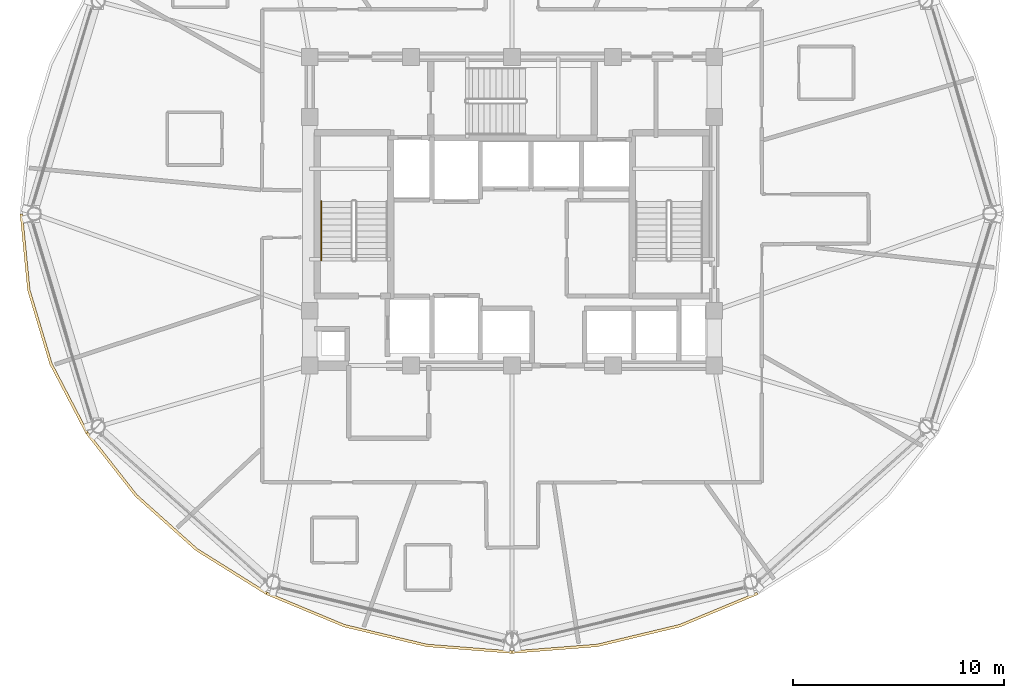
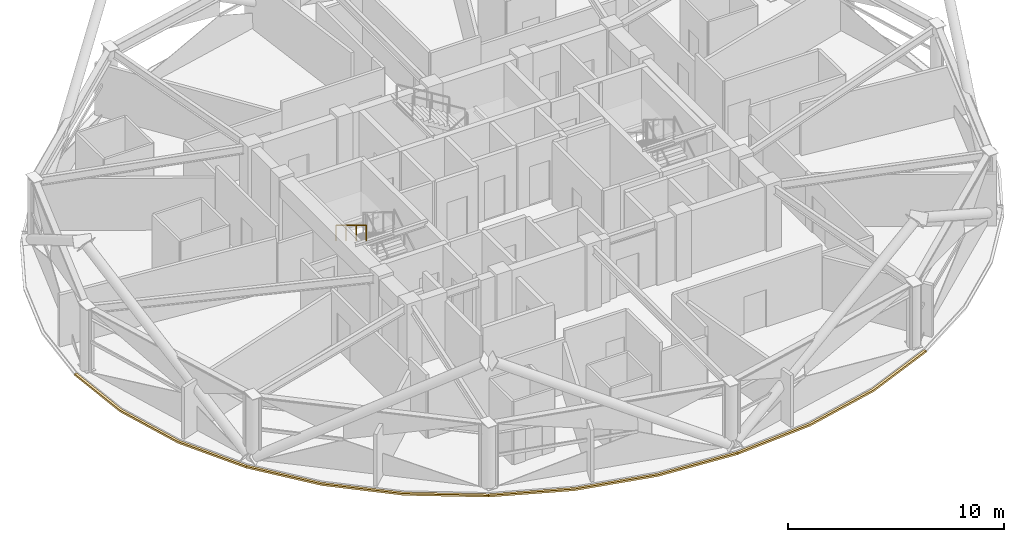
# One storey, part 27 of 30: 4 coverings, 1 railing.
"""IFC4 building model written with IfcOpenShell, lengths in metres."""

from ifc_helpers import new_model, si_unit, direction, frame, origin, origin_2d, place, context, subcontext, project, spatial, polyline, rectangle, outline, extrude, material, layer, layer_set, type_object, element, save


model = new_model("IFC4")

# Units and contexts
model_context = context("Model", 3, precision=1e-05, world=origin(), true_north=direction((0.0, 1.0)))
body_context = subcontext(model_context, "Body", "Model", "MODEL_VIEW")
ifc_project = project(units=[si_unit("LENGTHUNIT", "METRE"), si_unit("AREAUNIT", "SQUARE_METRE"), si_unit("VOLUMEUNIT", "CUBIC_METRE"), si_unit("PLANEANGLEUNIT", "RADIAN"), si_unit("MASSUNIT", "GRAM", prefix="KILO")], contexts=[model_context])

# Site, building, storey
site_placement = place(None, origin())
site = spatial("IfcSite", under=ifc_project, at=site_placement, CompositionType="ELEMENT")
building_placement = place(site_placement, origin())
building = spatial("IfcBuilding", under=site, at=building_placement, Name="Vantalir Tower", CompositionType="ELEMENT")
storey_placement = place(building_placement, frame((0.0, 0.0, 189.89990234375)))
storey = spatial("IfcBuildingStorey", under=building, at=storey_placement, Name="L47", CompositionType="ELEMENT", Elevation=189.89990234375)

# Coverings
ifc_material_1 = material(Name="Anodised champagne aluminium sill fascia", Category="aluminium")
ifc_layer = layer(ifc_material_1, 0.125)
ifc_layer_set = layer_set([ifc_layer], Name="Anodised champagne aluminium sill fascia")
covering_type = type_object("IfcCoveringType", Name="COV-SLAB-FASCIA-125", PredefinedType="CLADDING", material=ifc_layer_set)
covering_1_placement = place(storey_placement, frame((0.0, 0.0, -0.179931640625)))
element("IfcCovering", 1, at=covering_1_placement, inside=storey, type_object=covering_type, Name="L47 Perimeter Slab-Edge Sill Fascia 07", PredefinedType="CLADDING", context=body_context, shape_type="SweptSolid", body=[
    extrude(outline(polyline([(8.14892578125, 25.0), (8.50390625, 21.376953125), (9.556884765625, 17.864013671875), (11.277099609375, 14.568115234375), (11.385986328125, 14.631103515625), (9.675048828125, 17.906982421875), (8.626953125, 21.39892578125), (8.27392578125, 25.0), (8.14892578125, 25.0)])), origin(), (0.0, 0.0, 1.0), 0.10498046875),
])
covering_2_placement = place(storey_placement, frame((0.0, 0.0, -0.179931640625)))
element("IfcCovering", 2, at=covering_2_placement, inside=storey, type_object=covering_type, Name="L47 Perimeter Slab-Edge Sill Fascia 08", PredefinedType="CLADDING", context=body_context, shape_type="SweptSolid", body=[
    extrude(outline(polyline([(11.277099609375, 14.568115234375), (13.612060546875, 11.590087890625), (16.489990234375, 9.01806640625), (19.823974609375, 6.931884765625), (19.886962890625, 7.0400390625), (16.571044921875, 9.114013671875), (13.7080078125, 11.669921875), (11.385986328125, 14.631103515625), (11.277099609375, 14.568115234375)])), origin(), (0.0, 0.0, 1.0), 0.10498046875),
])
covering_3_placement = place(storey_placement, frame((0.0, 0.0, -0.179931640625)))
element("IfcCovering", 3, at=covering_3_placement, inside=storey, type_object=covering_type, Name="L47 Perimeter Slab-Edge Sill Fascia 09", PredefinedType="CLADDING", context=body_context, shape_type="SweptSolid", body=[
    extrude(outline(polyline([(19.823974609375, 6.931884765625), (23.512939453125, 5.39501953125), (27.445068359375, 4.4541015625), (31.5, 4.136962890625), (31.5, 4.261962890625), (27.467041015625, 4.576904296875), (23.555908203125, 5.512939453125), (19.886962890625, 7.0400390625), (19.823974609375, 6.931884765625)])), origin(), (0.0, 0.0, 1.0), 0.10498046875),
])
covering_4_placement = place(storey_placement, frame((0.0, 0.0, -0.179931640625)))
element("IfcCovering", 4, at=covering_4_placement, inside=storey, type_object=covering_type, Name="L47 Perimeter Slab-Edge Sill Fascia 10", PredefinedType="CLADDING", context=body_context, shape_type="SweptSolid", body=[
    extrude(outline(polyline([(31.5, 4.136962890625), (35.554931640625, 4.4541015625), (39.487060546875, 5.39501953125), (43.176025390625, 6.931884765625), (43.113037109375, 7.0400390625), (39.444091796875, 5.512939453125), (35.532958984375, 4.576904296875), (31.5, 4.261962890625), (31.5, 4.136962890625)])), origin(), (0.0, 0.0, 1.0), 0.10498046875),
])

# Railing
ifc_material_2 = material(Name="Brushed stainless steel tubular handrail", Category="steel")
railing_type = type_object("IfcRailingType", Name="RAL-HANDRAIL-900", PredefinedType="HANDRAIL", material=ifc_material_2)
railing_placement = place(storey_placement, frame((22.449951171875, 25.590087890625, 2.045654296875)))
element("IfcRailing", 5, at=railing_placement, inside=storey, type_object=railing_type, Name="L47 ST1 stair handrail 2", PredefinedType="HANDRAIL", context=body_context, shape_type="SweptSolid", body=[
    extrude(rectangle(XDim=0.048095703125, YDim=0.048095703125, at=origin_2d()), frame((0.0, 0.0, 0.8759765625), z_axis=(0.0, -0.854202870247, 0.519939858505), x_axis=(1.0, 0.0, 0.0)), (0.0, 0.0, 1.0), 3.278076171875),
    extrude(rectangle(XDim=0.0419921875, YDim=0.0419921875, at=origin_2d()), origin(), (0.0, 0.0, 1.0), 0.851806640625),
    extrude(rectangle(XDim=0.0419921875, YDim=0.0419921875, at=origin_2d()), frame((0.0, -0.933349609375, 0.568115234375)), (0.0, 0.0, 1.0), 0.851806640625),
    extrude(rectangle(XDim=0.0419921875, YDim=0.0419921875, at=origin_2d()), frame((0.0, -1.86669921875, 1.13623046875)), (0.0, 0.0, 1.0), 0.851806640625),
    extrude(rectangle(XDim=0.0419921875, YDim=0.0419921875, at=origin_2d()), frame((0.0, -2.800048828125, 1.704345703125)), (0.0, 0.0, 1.0), 0.851806640625),
])

save(model, "model.ifc")
